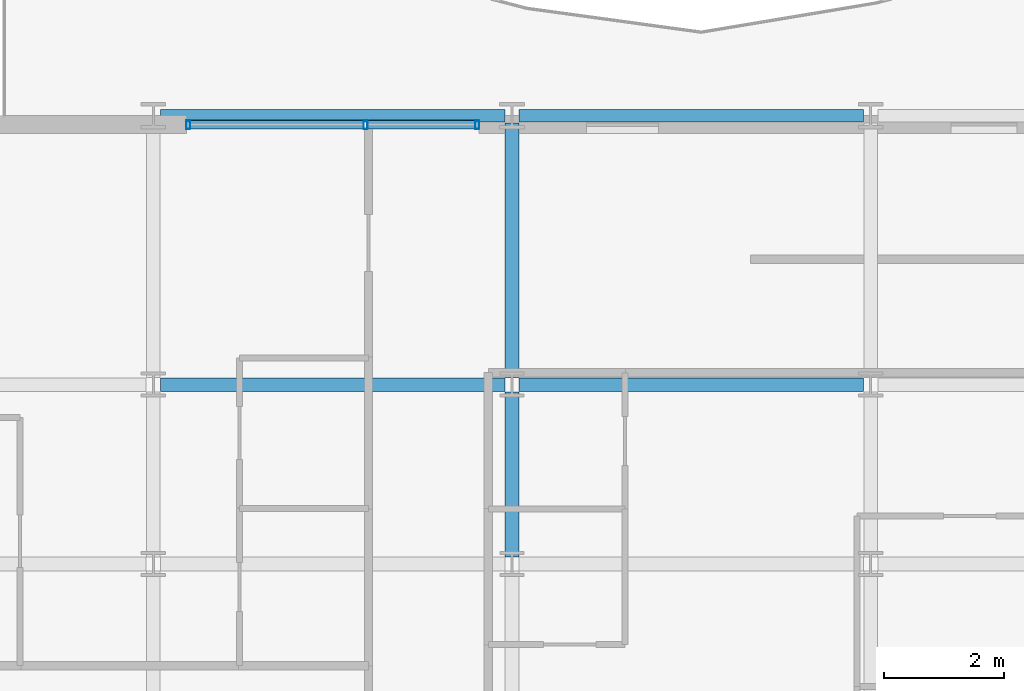
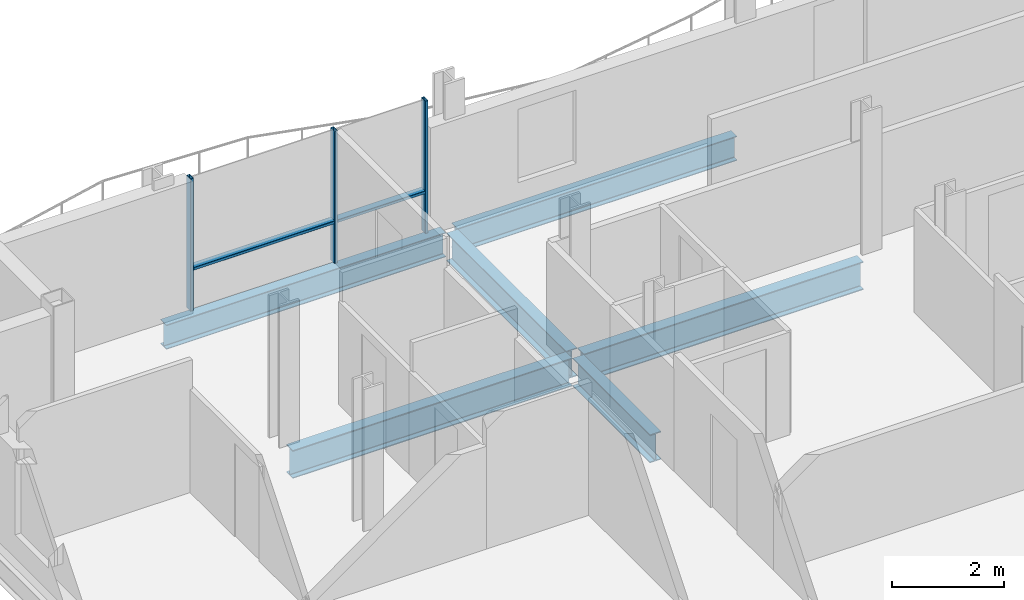
# One storey, part 7 of 38: 6 beams, 5 members, 1 element without a shape of its own.
"""IFC4 building model written with IfcOpenShell, lengths in metres."""

from ifc_helpers import new_model, si_unit, direction, frame, origin, origin_2d, place, context, subcontext, project, spatial, hollow_rectangle, i_section, extrude, material, layer, layer_set, material_profile, profile_set, type_object, element, aggregate, save


model = new_model("IFC4")

# Units and contexts
model_context = context("Model", 3, precision=1e-05, world=origin(), true_north=direction((0.0, 1.0)))
body_context = subcontext(model_context, "Body", "Model", "MODEL_VIEW")
ifc_project = project(units=[si_unit("LENGTHUNIT", "METRE"), si_unit("AREAUNIT", "SQUARE_METRE"), si_unit("VOLUMEUNIT", "CUBIC_METRE"), si_unit("PLANEANGLEUNIT", "RADIAN"), si_unit("MASSUNIT", "GRAM", prefix="KILO")], contexts=[model_context])

# Site, building, storey
site_placement = place(None, origin())
site = spatial("IfcSite", under=ifc_project, at=site_placement, CompositionType="ELEMENT")
building_placement = place(site_placement, origin())
building = spatial("IfcBuilding", under=site, at=building_placement, Name="Brevholm Reach", CompositionType="ELEMENT")
storey_placement = place(building_placement, frame((0.0, 0.0, 122.10009765625)))
storey = spatial("IfcBuildingStorey", under=building, at=storey_placement, Name="L36", CompositionType="ELEMENT", Elevation=122.10009765625)

# Beams
ifc_material_1 = material(Name="Structural Steel S355J2", Category="steel")
ifc_material_profile_1 = material_profile(ifc_material_1, i_section(OverallWidth=0.209228515625, OverallDepth=0.533203125, WebThickness=0.010009765625, FlangeThickness=0.015625, FilletRadius=0.0126953125, at=origin_2d()), Name="UKB 533x210x92")
ifc_profile_set_1 = profile_set([ifc_material_profile_1], Name="Structural Steel S355J2")
beam_type_1 = type_object("IfcBeamType", Name="BM-SP533", PredefinedType="SPANDREL", material=ifc_profile_set_1)
for number, where, z_axis, x_axis, name in (
    (1, (6.1201171875, 31.0, -0.486572265625), (1.0, 0.0, 0.0), (0.0, 1.0, 0.0), "L36 SP-02 Framing Beam"),
    (2, (12.1201171875, 31.0, -0.486572265625), (1.0, 0.0, 0.0), (0.0, 1.0, 0.0), "L36 SP-02 Framing Beam"),
):
    element("IfcBeam", number, at=place(storey_placement, frame(where, z_axis=z_axis, x_axis=x_axis)), inside=storey, type_object=beam_type_1, Name=name, PredefinedType="SPANDREL", context=body_context, shape_type="SweptSolid", body=[
        extrude(i_section(OverallWidth=0.209228515625, OverallDepth=0.533203125, WebThickness=0.010009765625, FlangeThickness=0.015625, FilletRadius=0.0126953125, at=origin_2d()), origin(), (0.0, 0.0, 1.0), 5.759765625),
    ])
ifc_material_2 = material(Name="Structural Steel S355J2", Category="steel")
ifc_material_profile_2 = material_profile(ifc_material_2, i_section(OverallWidth=0.22900390625, OverallDepth=0.6123046875, WebThickness=0.011962890625, FlangeThickness=0.01953125, FilletRadius=0.0126953125, at=origin_2d()), Name="UKB 610x229x125")
ifc_profile_set_2 = profile_set([ifc_material_profile_2], Name="Structural Steel S355J2")
beam_type_2 = type_object("IfcBeamType", Name="BM-SP610", PredefinedType="SPANDREL", material=ifc_profile_set_2)
for number, where, z_axis, x_axis, name in (
    (3, (6.1201171875, 26.5, -0.526123046875), (1.0, 0.0, 0.0), (0.0, 1.0, 0.0), "L36 SP-01 Framing Beam"),
    (4, (12.1201171875, 26.5, -0.526123046875), (1.0, 0.0, 0.0), (0.0, 1.0, 0.0), "L36 SP-01 Framing Beam"),
):
    element("IfcBeam", number, at=place(storey_placement, frame(where, z_axis=z_axis, x_axis=x_axis)), inside=storey, type_object=beam_type_2, Name=name, PredefinedType="SPANDREL", context=body_context, shape_type="SweptSolid", body=[
        extrude(i_section(OverallWidth=0.22900390625, OverallDepth=0.6123046875, WebThickness=0.011962890625, FlangeThickness=0.01953125, FilletRadius=0.0126953125, at=origin_2d()), origin(), (0.0, 0.0, 1.0), 5.759765625),
    ])
beam_1_placement = place(storey_placement, frame((12.0, 23.6201171875, -0.526123046875), z_axis=(0.0, 1.0, 0.0), x_axis=(-1.0, 0.0, 0.0)))
element("IfcBeam", 5, at=beam_1_placement, inside=storey, type_object=beam_type_2, Name="L36 SP-01 Framing Beam", PredefinedType="SPANDREL", context=body_context, shape_type="SweptSolid", body=[
    extrude(i_section(OverallWidth=0.22900390625, OverallDepth=0.6123046875, WebThickness=0.011962890625, FlangeThickness=0.01953125, FilletRadius=0.0126953125, at=origin_2d()), origin(), (0.0, 0.0, 1.0), 2.759765625),
])
beam_2_placement = place(storey_placement, frame((12.0, 26.6201171875, -0.526123046875), z_axis=(0.0, 1.0, 0.0), x_axis=(-1.0, 0.0, 0.0)))
element("IfcBeam", 6, at=beam_2_placement, inside=storey, type_object=beam_type_2, Name="L36 SP-01 Framing Beam", PredefinedType="SPANDREL", context=body_context, shape_type="SweptSolid", body=[
    extrude(i_section(OverallWidth=0.22900390625, OverallDepth=0.6123046875, WebThickness=0.011962890625, FlangeThickness=0.01953125, FilletRadius=0.0126953125, at=origin_2d()), origin(), (0.0, 0.0, 1.0), 4.259765625),
])

# Curtain wall, members
ifc_material_3 = material(Name="Dark Anodised Aluminium 6063-T6 and Solar-Control Glass", Category="aluminium")
ifc_layer = layer(ifc_material_3, 0.14990234375)
ifc_layer_set = layer_set([ifc_layer], Name="Dark Anodised Aluminium 6063-T6 and Solar-Control Glass")
curtain_wall_type = type_object("IfcCurtainWallType", Name="CW-01", PredefinedType="NOTDEFINED", material=ifc_layer_set)
curtain_wall_placement = place(storey_placement, origin())
curtain_wall = element("IfcCurtainWall", 7, at=curtain_wall_placement, inside=storey, type_object=curtain_wall_type, Name="L36 Curtain Wall CW-01", PredefinedType="NOTDEFINED")
ifc_material_4 = material(Name="Dark Anodised Aluminium 6063-T6", Category="aluminium")
ifc_material_profile_3 = material_profile(ifc_material_4, hollow_rectangle(XDim=0.06494140625, YDim=0.14990234375, WallThickness=0.0048828125, InnerFilletRadius=0.0048828125, OuterFilletRadius=0.010009765625, at=origin_2d()), Name="RHS 150x65x5")
ifc_profile_set_3 = profile_set([ifc_material_profile_3], Name="Dark Anodised Aluminium 6063-T6")
member_type_1 = type_object("IfcMemberType", Name="CWM-150", PredefinedType="MULLION", material=ifc_profile_set_3)
member_1_placement = place(storey_placement, frame((6.58251953125, 30.85009765625, 0.0), z_axis=(0.0, 0.0, 1.0), x_axis=(1.0, 0.0, 0.0)))
member_1 = element("IfcMember", 8, at=member_1_placement, type_object=member_type_1, Name="CM-150 Mullion 1", PredefinedType="MULLION", context=body_context, shape_type="SweptSolid", body=[
    extrude(hollow_rectangle(XDim=0.06494140625, YDim=0.14990234375, WallThickness=0.0048828125, InnerFilletRadius=0.0048828125, OuterFilletRadius=0.010009765625, at=origin_2d()), origin(), (0.0, 0.0, 1.0), 2.8798828125),
])
member_2_placement = place(storey_placement, frame((9.550048828125, 30.85009765625, 0.0), z_axis=(0.0, 0.0, 1.0), x_axis=(1.0, 0.0, 0.0)))
member_2 = element("IfcMember", 9, at=member_2_placement, type_object=member_type_1, Name="CM-150 Mullion 2", PredefinedType="MULLION", context=body_context, shape_type="SweptSolid", body=[
    extrude(hollow_rectangle(XDim=0.06494140625, YDim=0.14990234375, WallThickness=0.0048828125, InnerFilletRadius=0.0048828125, OuterFilletRadius=0.010009765625, at=origin_2d()), origin(), (0.0, 0.0, 1.0), 2.8798828125),
])
member_3_placement = place(storey_placement, frame((11.41748046875, 30.85009765625, 0.0), z_axis=(0.0, 0.0, 1.0), x_axis=(1.0, 0.0, 0.0)))
member_3 = element("IfcMember", 10, at=member_3_placement, type_object=member_type_1, Name="CM-150 Mullion 3", PredefinedType="MULLION", context=body_context, shape_type="SweptSolid", body=[
    extrude(hollow_rectangle(XDim=0.06494140625, YDim=0.14990234375, WallThickness=0.0048828125, InnerFilletRadius=0.0048828125, OuterFilletRadius=0.010009765625, at=origin_2d()), origin(), (0.0, 0.0, 1.0), 2.8798828125),
])
ifc_material_5 = material(Name="Dark Anodised Aluminium 6063-T6", Category="aluminium")
ifc_material_profile_4 = material_profile(ifc_material_5, hollow_rectangle(XDim=0.06494140625, YDim=0.14990234375, WallThickness=0.0048828125, InnerFilletRadius=0.0048828125, OuterFilletRadius=0.010009765625, at=origin_2d()), Name="RHS 150x65x5")
ifc_profile_set_4 = profile_set([ifc_material_profile_4], Name="Dark Anodised Aluminium 6063-T6")
member_type_2 = type_object("IfcMemberType", Name="CWT-150", PredefinedType="NOTDEFINED", material=ifc_profile_set_4)
member_4_placement = place(storey_placement, frame((6.614990234375, 30.85009765625, 0.89990234375), z_axis=(1.0, 0.0, 0.0), x_axis=(0.0, 0.0, 1.0)))
member_4 = element("IfcMember", 11, at=member_4_placement, type_object=member_type_2, Name="CT-150 Transom 1.1", ObjectType="TRANSOM", PredefinedType="USERDEFINED", context=body_context, shape_type="SweptSolid", body=[
    extrude(hollow_rectangle(XDim=0.06494140625, YDim=0.14990234375, WallThickness=0.0048828125, InnerFilletRadius=0.0048828125, OuterFilletRadius=0.010009765625, at=origin_2d()), origin(), (0.0, 0.0, 1.0), 2.902587890625),
])
member_5_placement = place(storey_placement, frame((9.58251953125, 30.85009765625, 0.89990234375), z_axis=(1.0, 0.0, 0.0), x_axis=(0.0, 0.0, 1.0)))
member_5 = element("IfcMember", 12, at=member_5_placement, type_object=member_type_2, Name="CT-150 Transom 2.1", ObjectType="TRANSOM", PredefinedType="USERDEFINED", context=body_context, shape_type="SweptSolid", body=[
    extrude(hollow_rectangle(XDim=0.06494140625, YDim=0.14990234375, WallThickness=0.0048828125, InnerFilletRadius=0.0048828125, OuterFilletRadius=0.010009765625, at=origin_2d()), origin(), (0.0, 0.0, 1.0), 1.802490234375),
])
aggregate(curtain_wall, [member_1, member_2, member_3, member_4, member_5])

save(model, "model.ifc")
